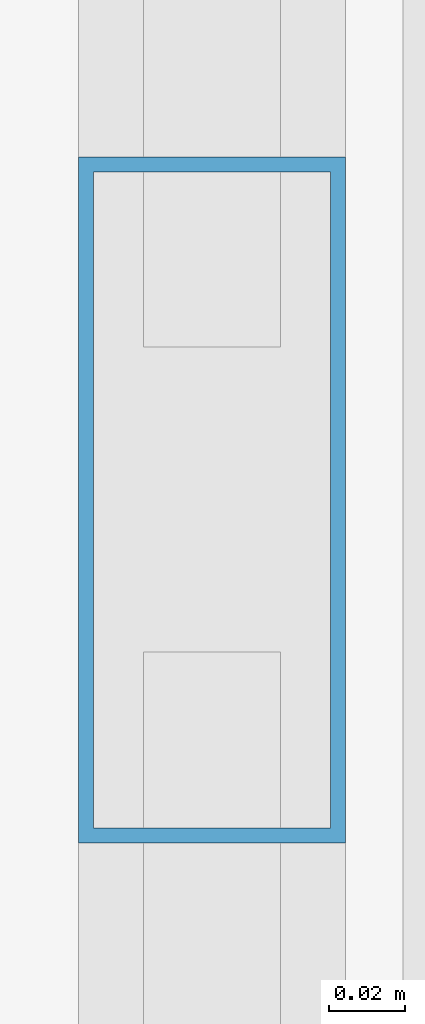
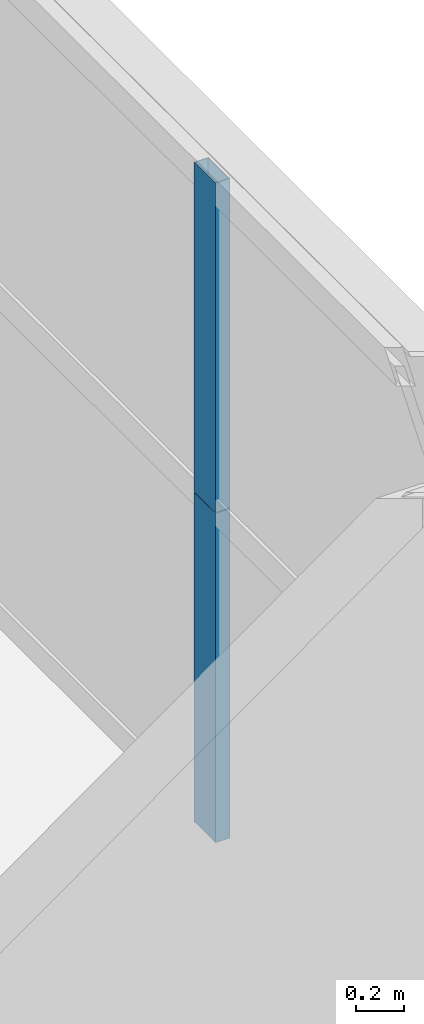
# One storey, part 28 of 38: 2 members, 1 element without a shape of its own.
"""IFC4 building model written with IfcOpenShell, lengths in metres."""

from ifc_helpers import new_model, si_unit, direction, frame, origin, origin_2d, place, context, subcontext, project, spatial, hollow_rectangle, extrude, source, transform, mapped, material, layer, layer_set, material_profile, profile_set, type_object, element, aggregate, save


model = new_model("IFC4")

# Units and contexts
model_context = context("Model", 3, precision=1e-05, world=origin(), true_north=direction((0.0, 1.0)))
body_context = subcontext(model_context, "Body", "Model", "MODEL_VIEW")
ifc_project = project(units=[si_unit("LENGTHUNIT", "METRE"), si_unit("AREAUNIT", "SQUARE_METRE"), si_unit("VOLUMEUNIT", "CUBIC_METRE"), si_unit("PLANEANGLEUNIT", "RADIAN"), si_unit("MASSUNIT", "GRAM", prefix="KILO"), si_unit("THERMODYNAMICTEMPERATUREUNIT", "KELVIN"), si_unit("POWERUNIT", "WATT")], contexts=[model_context])

# Site, building, storey
site_placement = place(None, origin())
site = spatial("IfcSite", under=ifc_project, at=site_placement, CompositionType="ELEMENT")
building_placement = place(site_placement, origin())
building = spatial("IfcBuilding", under=site, at=building_placement, Name="Yuzanri Waterfront Tower", CompositionType="ELEMENT")
storey_placement = place(building_placement, frame((0.0, 0.0, 97.39990234375)))
storey = spatial("IfcBuildingStorey", under=building, at=storey_placement, Name="L25", CompositionType="ELEMENT", Elevation=97.39990234375)

# Curtain wall, members
ifc_material_1 = material(Name="Anodized Architectural Bronze", Category="metal")
ifc_layer = layer(ifc_material_1, 0.159912109375)
ifc_layer_set = layer_set([ifc_layer], Name="Anodized Architectural Bronze")
curtain_wall_type = type_object("IfcCurtainWallType", Name="Anodized Bronze Hotel Upper-Tier Solar-Control Unitized Curtain Wall 7800", PredefinedType="NOTDEFINED", material=ifc_layer_set)
curtain_wall_placement = place(storey_placement, origin())
curtain_wall = element("IfcCurtainWall", 1, at=curtain_wall_placement, inside=storey, type_object=curtain_wall_type, Name="L25 Curtain Wall CW-L25-ER", PredefinedType="NOTDEFINED")
ifc_material_2 = material(Name="Anodized Architectural Bronze", Category="metal")
ifc_material_profile = material_profile(ifc_material_2, hollow_rectangle(XDim=0.070068359375, YDim=0.179931640625, WallThickness=0.00390625, at=origin_2d()), Name="CWM 70x180")
ifc_profile_set = profile_set([ifc_material_profile], Name="Anodized Architectural Bronze")
member_type = type_object("IfcMemberType", Name="Anodized Bronze Standard Curtain-Wall Mullion 70x180", PredefinedType="MULLION", material=ifc_profile_set)
shared_shape = source(origin(), body_context, "Body", "SweptSolid", [
    extrude(hollow_rectangle(XDim=0.070068359375, YDim=0.179931640625, WallThickness=0.00390625, at=origin_2d()), origin(), (0.0, 0.0, 1.0), 1.68798828125),
])
member_1_placement = place(storey_placement, frame((60.449951171875, 34.14990234375, 0.0), z_axis=(0.0, 0.0, 1.0), x_axis=(1.0, 0.0, 0.0)))
member_1 = element("IfcMember", 2, at=member_1_placement, type_object=member_type, Name="CW-L25-ER Lower Mullion 01", PredefinedType="MULLION", context=body_context, shape_type="MappedRepresentation", body=[
    mapped(shared_shape, transform((0.0, 0.0, 0.0), scale=1.0)),
])
member_2_placement = place(storey_placement, frame((60.449951171875, 34.14990234375, 1.692138671875), z_axis=(0.0, 0.0, 1.0), x_axis=(1.0, 0.0, 0.0)))
member_2 = element("IfcMember", 3, at=member_2_placement, type_object=member_type, Name="CW-L25-ER Upper Mullion 01", PredefinedType="MULLION", context=body_context, shape_type="MappedRepresentation", body=[
    mapped(shared_shape, transform((0.0, 0.0, 0.0), scale=1.0)),
])
aggregate(curtain_wall, [member_1, member_2])

save(model, "model.ifc")
